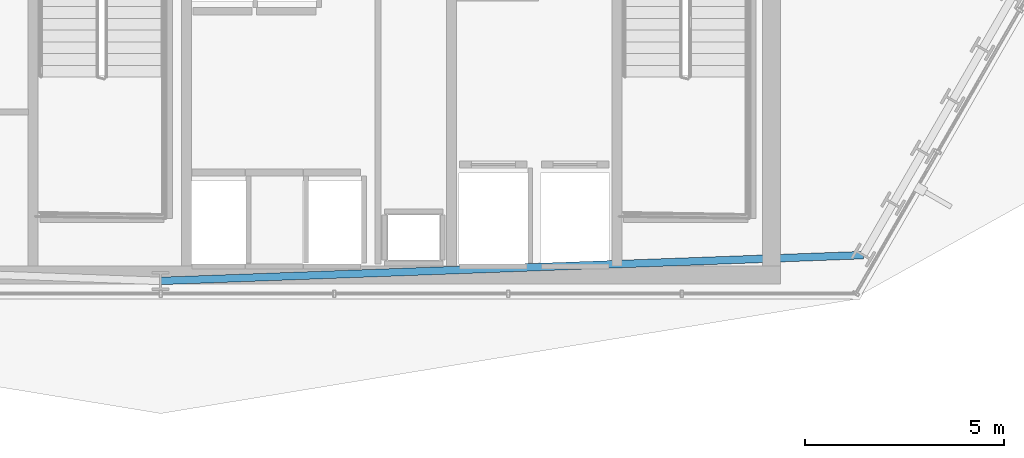
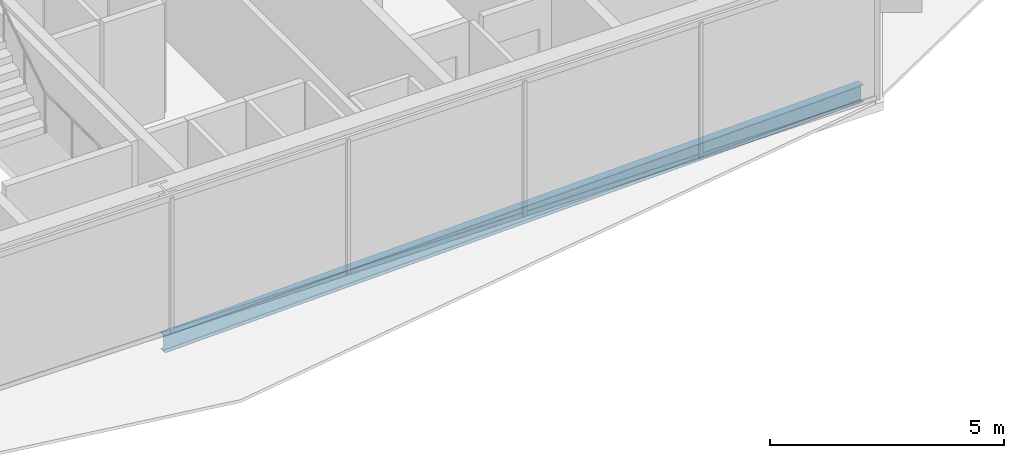
# One storey, part 17 of 36: 1 beam.
"""IFC4 building model written with IfcOpenShell, lengths in metres."""

from ifc_helpers import new_model, si_unit, direction, frame, origin, origin_2d, place, context, subcontext, project, spatial, i_section, extrude, material, material_profile, profile_set, type_object, element, save


model = new_model("IFC4")

# Units and contexts
model_context = context("Model", 3, precision=1e-05, world=origin(), true_north=direction((0.0, 1.0)))
body_context = subcontext(model_context, "Body", "Model", "MODEL_VIEW")
ifc_project = project(units=[si_unit("LENGTHUNIT", "METRE"), si_unit("AREAUNIT", "SQUARE_METRE"), si_unit("VOLUMEUNIT", "CUBIC_METRE"), si_unit("PLANEANGLEUNIT", "RADIAN"), si_unit("MASSUNIT", "GRAM", prefix="KILO")], contexts=[model_context])

# Site, building, storey
site_placement = place(None, origin())
site = spatial("IfcSite", under=ifc_project, at=site_placement, CompositionType="ELEMENT")
building_placement = place(site_placement, origin())
building = spatial("IfcBuilding", under=site, at=building_placement, Name="Ndaravel Arena Tower", CompositionType="ELEMENT")
storey_placement = place(building_placement, frame((0.0, 0.0, 127.0)))
storey = spatial("IfcBuildingStorey", under=building, at=storey_placement, Name="L29", CompositionType="ELEMENT", Elevation=127.0)

# Beam
ifc_material = material(Name="Steel S355", Category="steel")
ifc_material_profile = material_profile(ifc_material, i_section(OverallWidth=0.18994140625, OverallDepth=0.449951171875, WebThickness=0.009521484375, FlangeThickness=0.0146484375, FilletRadius=0.02099609375, at=origin_2d()), Name="IPE 450")
ifc_profile_set = profile_set([ifc_material_profile], Name="Steel S355")
beam_type = type_object("IfcBeamType", Name="BM-SPAN-IPE450", PredefinedType="SPANDREL", material=ifc_profile_set)
beam_placement = place(storey_placement, frame((42.0, 5.47998046875, -0.445068359375), z_axis=(0.999326102031, 0.036706154797, 0.0), x_axis=(-0.036706154797, 0.999326102031, 0.0)))
element("IfcBeam", 1, at=beam_placement, inside=storey, type_object=beam_type, Name="L29 Perimeter Spandrel Beam SP-01", PredefinedType="SPANDREL", context=body_context, shape_type="SweptSolid", body=[
    extrude(i_section(OverallWidth=0.18994140625, OverallDepth=0.449951171875, WebThickness=0.009521484375, FlangeThickness=0.0146484375, FilletRadius=0.02099609375, at=origin_2d()), origin(), (0.0, 0.0, 1.0), 17.645751953125),
])

save(model, "model.ifc")
